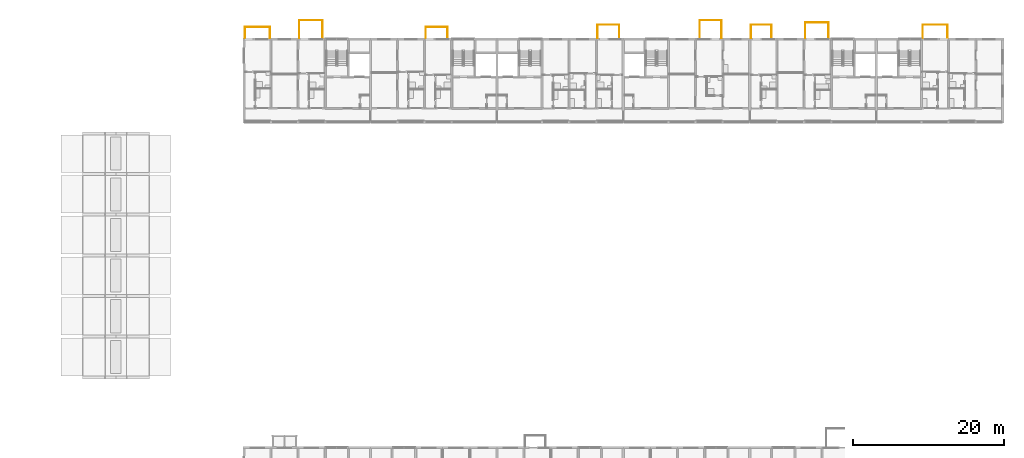
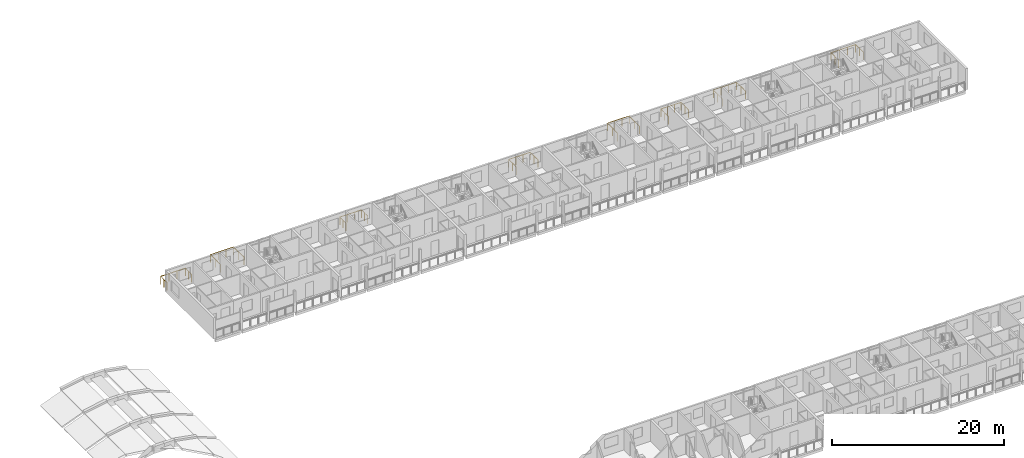
# One storey, part 90 of 93: 8 railings.
"""IFC4 building model written with IfcOpenShell, lengths in metres."""

from ifc_helpers import new_model, si_unit, direction, frame, origin, origin_2d, place, context, subcontext, project, spatial, circle, extrude, material, type_object, element, save


model = new_model("IFC4")

# Units and contexts
model_context = context("Model", 3, precision=1e-05, world=origin(), true_north=direction((0.0, 1.0)))
body_context = subcontext(model_context, "Body", "Model", "MODEL_VIEW")
ifc_project = project(units=[si_unit("LENGTHUNIT", "METRE"), si_unit("AREAUNIT", "SQUARE_METRE"), si_unit("VOLUMEUNIT", "CUBIC_METRE"), si_unit("PLANEANGLEUNIT", "RADIAN"), si_unit("MASSUNIT", "GRAM", prefix="KILO")], contexts=[model_context])

# Site, building, storey
site_placement = place(None, origin())
site = spatial("IfcSite", under=ifc_project, at=site_placement, CompositionType="ELEMENT")
building_placement = place(site_placement, origin())
building = spatial("IfcBuilding", under=site, at=building_placement, Name="Ridgestep Commons", CompositionType="ELEMENT")
storey_placement = place(building_placement, frame((0.0, 0.0, 18.0)))
storey = spatial("IfcBuildingStorey", under=building, at=storey_placement, Name="L06", CompositionType="ELEMENT", Elevation=18.0)

# Railings
ifc_material = material(Name="Weathering steel S355J2W", Category="steel")
railing_type = type_object("IfcRailingType", Name="Tray guard 1100", PredefinedType="GUARDRAIL", material=ifc_material)
railing_1_placement = place(storey_placement, frame((221.35107421875, 77.27099609375, 0.0)))
element("IfcRailing", 1, at=railing_1_placement, inside=storey, type_object=railing_type, Name="Tray guard C5T3-06", PredefinedType="GUARDRAIL", context=body_context, shape_type="SweptSolid", body=[
    extrude(circle(Radius=0.02392578125, at=origin_2d()), frame((0.0, 0.0, 1.076171875), z_axis=(0.0, 1.0, 0.0), x_axis=(-1.0, 0.0, 0.0)), (0.0, 0.0, 1.0), 2.05810546875),
    extrude(circle(Radius=0.02392578125, at=origin_2d()), frame((0.0, 2.05810546875, 1.076171875), z_axis=(1.0, 0.0, 0.0), x_axis=(0.0, 1.0, 0.0)), (0.0, 0.0, 1.0), 3.097900390625),
    extrude(circle(Radius=0.02392578125, at=origin_2d()), frame((3.097900390625, 2.05810546875, 1.076171875), z_axis=(0.0, -1.0, 0.0), x_axis=(1.0, 0.0, 0.0)), (0.0, 0.0, 1.0), 2.05810546875),
    extrude(circle(Radius=0.02099609375, at=origin_2d()), origin(), (0.0, 0.0, 1.0), 1.052001953125),
    extrude(circle(Radius=0.02099609375, at=origin_2d()), frame((0.0, 1.029052734375, 0.0)), (0.0, 0.0, 1.0), 1.052001953125),
    extrude(circle(Radius=0.02099609375, at=origin_2d()), frame((0.0, 2.05810546875, 0.0)), (0.0, 0.0, 1.0), 1.052001953125),
    extrude(circle(Radius=0.02099609375, at=origin_2d()), frame((1.03271484375, 2.05810546875, 0.0)), (0.0, 0.0, 1.0), 1.052001953125),
    extrude(circle(Radius=0.02099609375, at=origin_2d()), frame((2.065185546875, 2.05810546875, 0.0)), (0.0, 0.0, 1.0), 1.052001953125),
    extrude(circle(Radius=0.02099609375, at=origin_2d()), frame((3.097900390625, 2.05810546875, 0.0)), (0.0, 0.0, 1.0), 1.052001953125),
    extrude(circle(Radius=0.02099609375, at=origin_2d()), frame((3.097900390625, 1.029052734375, 0.0)), (0.0, 0.0, 1.0), 1.052001953125),
    extrude(circle(Radius=0.02099609375, at=origin_2d()), frame((3.097900390625, 0.0, 0.0)), (0.0, 0.0, 1.0), 1.052001953125),
])
railing_2_placement = place(storey_placement, frame((236.950927734375, 77.27099609375, 0.0)))
element("IfcRailing", 2, at=railing_2_placement, inside=storey, type_object=railing_type, Name="Tray guard C6T3-06", PredefinedType="GUARDRAIL", context=body_context, shape_type="SweptSolid", body=[
    extrude(circle(Radius=0.02392578125, at=origin_2d()), frame((0.0, 0.0, 1.076171875), z_axis=(0.0, 1.0, 0.0), x_axis=(-1.0, 0.0, 0.0)), (0.0, 0.0, 1.0), 1.758056640625),
    extrude(circle(Radius=0.02392578125, at=origin_2d()), frame((0.0, 1.758056640625, 1.076171875), z_axis=(1.0, 0.0, 0.0), x_axis=(0.0, 1.0, 0.0)), (0.0, 0.0, 1.0), 3.298095703125),
    extrude(circle(Radius=0.02392578125, at=origin_2d()), frame((3.298095703125, 1.758056640625, 1.076171875), z_axis=(0.0, -1.0, 0.0), x_axis=(1.0, 0.0, 0.0)), (0.0, 0.0, 1.0), 1.758056640625),
    extrude(circle(Radius=0.02099609375, at=origin_2d()), origin(), (0.0, 0.0, 1.0), 1.052001953125),
    extrude(circle(Radius=0.02099609375, at=origin_2d()), frame((0.0, 0.87890625, 0.0)), (0.0, 0.0, 1.0), 1.052001953125),
    extrude(circle(Radius=0.02099609375, at=origin_2d()), frame((0.0, 1.758056640625, 0.0)), (0.0, 0.0, 1.0), 1.052001953125),
    extrude(circle(Radius=0.02099609375, at=origin_2d()), frame((1.099365234375, 1.758056640625, 0.0)), (0.0, 0.0, 1.0), 1.052001953125),
    extrude(circle(Radius=0.02099609375, at=origin_2d()), frame((2.19873046875, 1.758056640625, 0.0)), (0.0, 0.0, 1.0), 1.052001953125),
    extrude(circle(Radius=0.02099609375, at=origin_2d()), frame((3.298095703125, 1.758056640625, 0.0)), (0.0, 0.0, 1.0), 1.052001953125),
    extrude(circle(Radius=0.02099609375, at=origin_2d()), frame((3.298095703125, 0.87890625, 0.0)), (0.0, 0.0, 1.0), 1.052001953125),
    extrude(circle(Radius=0.02099609375, at=origin_2d()), frame((3.298095703125, 0.0, 0.0)), (0.0, 0.0, 1.0), 1.052001953125),
])
railing_3_placement = place(storey_placement, frame((170.950927734375, 77.27099609375, 0.0)))
element("IfcRailing", 3, at=railing_3_placement, inside=storey, type_object=railing_type, Name="Tray guard C2T3-06", PredefinedType="GUARDRAIL", context=body_context, shape_type="SweptSolid", body=[
    extrude(circle(Radius=0.02392578125, at=origin_2d()), frame((0.0, 0.0, 1.076171875), z_axis=(0.0, 1.0, 0.0), x_axis=(-1.0, 0.0, 0.0)), (0.0, 0.0, 1.0), 1.4580078125),
    extrude(circle(Radius=0.02392578125, at=origin_2d()), frame((0.0, 1.4580078125, 1.076171875), z_axis=(1.0, 0.0, 0.0), x_axis=(0.0, 1.0, 0.0)), (0.0, 0.0, 1.0), 2.898193359375),
    extrude(circle(Radius=0.02392578125, at=origin_2d()), frame((2.898193359375, 1.4580078125, 1.076171875), z_axis=(0.0, -1.0, 0.0), x_axis=(1.0, 0.0, 0.0)), (0.0, 0.0, 1.0), 1.4580078125),
    extrude(circle(Radius=0.02099609375, at=origin_2d()), origin(), (0.0, 0.0, 1.0), 1.052001953125),
    extrude(circle(Radius=0.02099609375, at=origin_2d()), frame((0.0, 0.72900390625, 0.0)), (0.0, 0.0, 1.0), 1.052001953125),
    extrude(circle(Radius=0.02099609375, at=origin_2d()), frame((0.0, 1.4580078125, 0.0)), (0.0, 0.0, 1.0), 1.052001953125),
    extrude(circle(Radius=0.02099609375, at=origin_2d()), frame((0.966064453125, 1.4580078125, 0.0)), (0.0, 0.0, 1.0), 1.052001953125),
    extrude(circle(Radius=0.02099609375, at=origin_2d()), frame((1.93212890625, 1.4580078125, 0.0)), (0.0, 0.0, 1.0), 1.052001953125),
    extrude(circle(Radius=0.02099609375, at=origin_2d()), frame((2.898193359375, 1.4580078125, 0.0)), (0.0, 0.0, 1.0), 1.052001953125),
    extrude(circle(Radius=0.02099609375, at=origin_2d()), frame((2.898193359375, 0.72900390625, 0.0)), (0.0, 0.0, 1.0), 1.052001953125),
    extrude(circle(Radius=0.02099609375, at=origin_2d()), frame((2.898193359375, 0.0, 0.0)), (0.0, 0.0, 1.0), 1.052001953125),
])
railing_4_placement = place(storey_placement, frame((193.7509765625, 77.27099609375, 0.0)))
element("IfcRailing", 4, at=railing_4_placement, inside=storey, type_object=railing_type, Name="Tray guard C3T1-06", PredefinedType="GUARDRAIL", context=body_context, shape_type="SweptSolid", body=[
    extrude(circle(Radius=0.02392578125, at=origin_2d()), frame((0.0, 0.0, 1.076171875), z_axis=(0.0, 1.0, 0.0), x_axis=(-1.0, 0.0, 0.0)), (0.0, 0.0, 1.0), 1.758056640625),
    extrude(circle(Radius=0.02392578125, at=origin_2d()), frame((0.0, 1.758056640625, 1.076171875), z_axis=(1.0, 0.0, 0.0), x_axis=(0.0, 1.0, 0.0)), (0.0, 0.0, 1.0), 2.89794921875),
    extrude(circle(Radius=0.02392578125, at=origin_2d()), frame((2.89794921875, 1.758056640625, 1.076171875), z_axis=(0.0, -1.0, 0.0), x_axis=(1.0, 0.0, 0.0)), (0.0, 0.0, 1.0), 1.758056640625),
    extrude(circle(Radius=0.02099609375, at=origin_2d()), origin(), (0.0, 0.0, 1.0), 1.052001953125),
    extrude(circle(Radius=0.02099609375, at=origin_2d()), frame((0.0, 0.87890625, 0.0)), (0.0, 0.0, 1.0), 1.052001953125),
    extrude(circle(Radius=0.02099609375, at=origin_2d()), frame((0.0, 1.758056640625, 0.0)), (0.0, 0.0, 1.0), 1.052001953125),
    extrude(circle(Radius=0.02099609375, at=origin_2d()), frame((0.966064453125, 1.758056640625, 0.0)), (0.0, 0.0, 1.0), 1.052001953125),
    extrude(circle(Radius=0.02099609375, at=origin_2d()), frame((1.931884765625, 1.758056640625, 0.0)), (0.0, 0.0, 1.0), 1.052001953125),
    extrude(circle(Radius=0.02099609375, at=origin_2d()), frame((2.89794921875, 1.758056640625, 0.0)), (0.0, 0.0, 1.0), 1.052001953125),
    extrude(circle(Radius=0.02099609375, at=origin_2d()), frame((2.89794921875, 0.87890625, 0.0)), (0.0, 0.0, 1.0), 1.052001953125),
    extrude(circle(Radius=0.02099609375, at=origin_2d()), frame((2.89794921875, 0.0, 0.0)), (0.0, 0.0, 1.0), 1.052001953125),
])
railing_5_placement = place(storey_placement, frame((207.35107421875, 77.27099609375, 0.0)))
element("IfcRailing", 5, at=railing_5_placement, inside=storey, type_object=railing_type, Name="Tray guard C4T2-06", PredefinedType="GUARDRAIL", context=body_context, shape_type="SweptSolid", body=[
    extrude(circle(Radius=0.02392578125, at=origin_2d()), frame((0.0, 0.0, 1.076171875), z_axis=(0.0, 1.0, 0.0), x_axis=(-1.0, 0.0, 0.0)), (0.0, 0.0, 1.0), 2.35791015625),
    extrude(circle(Radius=0.02392578125, at=origin_2d()), frame((0.0, 2.35791015625, 1.076171875), z_axis=(1.0, 0.0, 0.0), x_axis=(0.0, 1.0, 0.0)), (0.0, 0.0, 1.0), 2.89794921875),
    extrude(circle(Radius=0.02392578125, at=origin_2d()), frame((2.89794921875, 2.35791015625, 1.076171875), z_axis=(0.0, -1.0, 0.0), x_axis=(1.0, 0.0, 0.0)), (0.0, 0.0, 1.0), 2.35791015625),
    extrude(circle(Radius=0.02099609375, at=origin_2d()), origin(), (0.0, 0.0, 1.0), 1.052001953125),
    extrude(circle(Radius=0.02099609375, at=origin_2d()), frame((0.0, 1.178955078125, 0.0)), (0.0, 0.0, 1.0), 1.052001953125),
    extrude(circle(Radius=0.02099609375, at=origin_2d()), frame((0.0, 2.35791015625, 0.0)), (0.0, 0.0, 1.0), 1.052001953125),
    extrude(circle(Radius=0.02099609375, at=origin_2d()), frame((0.966064453125, 2.35791015625, 0.0)), (0.0, 0.0, 1.0), 1.052001953125),
    extrude(circle(Radius=0.02099609375, at=origin_2d()), frame((1.931884765625, 2.35791015625, 0.0)), (0.0, 0.0, 1.0), 1.052001953125),
    extrude(circle(Radius=0.02099609375, at=origin_2d()), frame((2.89794921875, 2.35791015625, 0.0)), (0.0, 0.0, 1.0), 1.052001953125),
    extrude(circle(Radius=0.02099609375, at=origin_2d()), frame((2.89794921875, 1.178955078125, 0.0)), (0.0, 0.0, 1.0), 1.052001953125),
    extrude(circle(Radius=0.02099609375, at=origin_2d()), frame((2.89794921875, 0.0, 0.0)), (0.0, 0.0, 1.0), 1.052001953125),
])
railing_6_placement = place(storey_placement, frame((214.15087890625, 77.27099609375, 0.0)))
element("IfcRailing", 6, at=railing_6_placement, inside=storey, type_object=railing_type, Name="Tray guard C5T1-06", PredefinedType="GUARDRAIL", context=body_context, shape_type="SweptSolid", body=[
    extrude(circle(Radius=0.02392578125, at=origin_2d()), frame((0.0, 0.0, 1.076171875), z_axis=(0.0, 1.0, 0.0), x_axis=(-1.0, 0.0, 0.0)), (0.0, 0.0, 1.0), 1.758056640625),
    extrude(circle(Radius=0.02392578125, at=origin_2d()), frame((0.0, 1.758056640625, 1.076171875), z_axis=(1.0, 0.0, 0.0), x_axis=(0.0, 1.0, 0.0)), (0.0, 0.0, 1.0), 2.6982421875),
    extrude(circle(Radius=0.02392578125, at=origin_2d()), frame((2.6982421875, 1.758056640625, 1.076171875), z_axis=(0.0, -1.0, 0.0), x_axis=(1.0, 0.0, 0.0)), (0.0, 0.0, 1.0), 1.758056640625),
    extrude(circle(Radius=0.02099609375, at=origin_2d()), origin(), (0.0, 0.0, 1.0), 1.052001953125),
    extrude(circle(Radius=0.02099609375, at=origin_2d()), frame((0.0, 0.87890625, 0.0)), (0.0, 0.0, 1.0), 1.052001953125),
    extrude(circle(Radius=0.02099609375, at=origin_2d()), frame((0.0, 1.758056640625, 0.0)), (0.0, 0.0, 1.0), 1.052001953125),
    extrude(circle(Radius=0.02099609375, at=origin_2d()), frame((0.8994140625, 1.758056640625, 0.0)), (0.0, 0.0, 1.0), 1.052001953125),
    extrude(circle(Radius=0.02099609375, at=origin_2d()), frame((1.798828125, 1.758056640625, 0.0)), (0.0, 0.0, 1.0), 1.052001953125),
    extrude(circle(Radius=0.02099609375, at=origin_2d()), frame((2.6982421875, 1.758056640625, 0.0)), (0.0, 0.0, 1.0), 1.052001953125),
    extrude(circle(Radius=0.02099609375, at=origin_2d()), frame((2.6982421875, 0.87890625, 0.0)), (0.0, 0.0, 1.0), 1.052001953125),
    extrude(circle(Radius=0.02099609375, at=origin_2d()), frame((2.6982421875, 0.0, 0.0)), (0.0, 0.0, 1.0), 1.052001953125),
])
railing_7_placement = place(storey_placement, frame((154.15087890625, 77.27099609375, 0.0)))
element("IfcRailing", 7, at=railing_7_placement, inside=storey, type_object=railing_type, Name="Tray guard C1T3-06", PredefinedType="GUARDRAIL", context=body_context, shape_type="SweptSolid", body=[
    extrude(circle(Radius=0.02392578125, at=origin_2d()), frame((0.0, 0.0, 1.076171875), z_axis=(0.0, 1.0, 0.0), x_axis=(-1.0, 0.0, 0.0)), (0.0, 0.0, 1.0), 2.35791015625),
    extrude(circle(Radius=0.02392578125, at=origin_2d()), frame((0.0, 2.35791015625, 1.076171875), z_axis=(1.0, 0.0, 0.0), x_axis=(0.0, 1.0, 0.0)), (0.0, 0.0, 1.0), 3.09814453125),
    extrude(circle(Radius=0.02392578125, at=origin_2d()), frame((3.09814453125, 2.35791015625, 1.076171875), z_axis=(0.0, -1.0, 0.0), x_axis=(1.0, 0.0, 0.0)), (0.0, 0.0, 1.0), 2.35791015625),
    extrude(circle(Radius=0.02099609375, at=origin_2d()), origin(), (0.0, 0.0, 1.0), 1.052001953125),
    extrude(circle(Radius=0.02099609375, at=origin_2d()), frame((0.0, 1.178955078125, 0.0)), (0.0, 0.0, 1.0), 1.052001953125),
    extrude(circle(Radius=0.02099609375, at=origin_2d()), frame((0.0, 2.35791015625, 0.0)), (0.0, 0.0, 1.0), 1.052001953125),
    extrude(circle(Radius=0.02099609375, at=origin_2d()), frame((1.03271484375, 2.35791015625, 0.0)), (0.0, 0.0, 1.0), 1.052001953125),
    extrude(circle(Radius=0.02099609375, at=origin_2d()), frame((2.0654296875, 2.35791015625, 0.0)), (0.0, 0.0, 1.0), 1.052001953125),
    extrude(circle(Radius=0.02099609375, at=origin_2d()), frame((3.09814453125, 2.35791015625, 0.0)), (0.0, 0.0, 1.0), 1.052001953125),
    extrude(circle(Radius=0.02099609375, at=origin_2d()), frame((3.09814453125, 1.178955078125, 0.0)), (0.0, 0.0, 1.0), 1.052001953125),
    extrude(circle(Radius=0.02099609375, at=origin_2d()), frame((3.09814453125, 0.0, 0.0)), (0.0, 0.0, 1.0), 1.052001953125),
])
railing_8_placement = place(storey_placement, frame((146.950927734375, 77.27099609375, 0.0)))
element("IfcRailing", 8, at=railing_8_placement, inside=storey, type_object=railing_type, Name="Tray guard C1T1-06", PredefinedType="GUARDRAIL", context=body_context, shape_type="SweptSolid", body=[
    extrude(circle(Radius=0.02392578125, at=origin_2d()), frame((0.0, 0.0, 1.076171875), z_axis=(0.0, 1.0, 0.0), x_axis=(-1.0, 0.0, 0.0)), (0.0, 0.0, 1.0), 1.4580078125),
    extrude(circle(Radius=0.02392578125, at=origin_2d()), frame((0.0, 1.4580078125, 1.076171875), z_axis=(1.0, 0.0, 0.0), x_axis=(0.0, 1.0, 0.0)), (0.0, 0.0, 1.0), 3.298095703125),
    extrude(circle(Radius=0.02392578125, at=origin_2d()), frame((3.298095703125, 1.4580078125, 1.076171875), z_axis=(0.0, -1.0, 0.0), x_axis=(1.0, 0.0, 0.0)), (0.0, 0.0, 1.0), 1.4580078125),
    extrude(circle(Radius=0.02099609375, at=origin_2d()), origin(), (0.0, 0.0, 1.0), 1.052001953125),
    extrude(circle(Radius=0.02099609375, at=origin_2d()), frame((0.0, 0.72900390625, 0.0)), (0.0, 0.0, 1.0), 1.052001953125),
    extrude(circle(Radius=0.02099609375, at=origin_2d()), frame((0.0, 1.4580078125, 0.0)), (0.0, 0.0, 1.0), 1.052001953125),
    extrude(circle(Radius=0.02099609375, at=origin_2d()), frame((1.099365234375, 1.4580078125, 0.0)), (0.0, 0.0, 1.0), 1.052001953125),
    extrude(circle(Radius=0.02099609375, at=origin_2d()), frame((2.19873046875, 1.4580078125, 0.0)), (0.0, 0.0, 1.0), 1.052001953125),
    extrude(circle(Radius=0.02099609375, at=origin_2d()), frame((3.298095703125, 1.4580078125, 0.0)), (0.0, 0.0, 1.0), 1.052001953125),
    extrude(circle(Radius=0.02099609375, at=origin_2d()), frame((3.298095703125, 0.72900390625, 0.0)), (0.0, 0.0, 1.0), 1.052001953125),
    extrude(circle(Radius=0.02099609375, at=origin_2d()), frame((3.298095703125, 0.0, 0.0)), (0.0, 0.0, 1.0), 1.052001953125),
])

save(model, "model.ifc")
